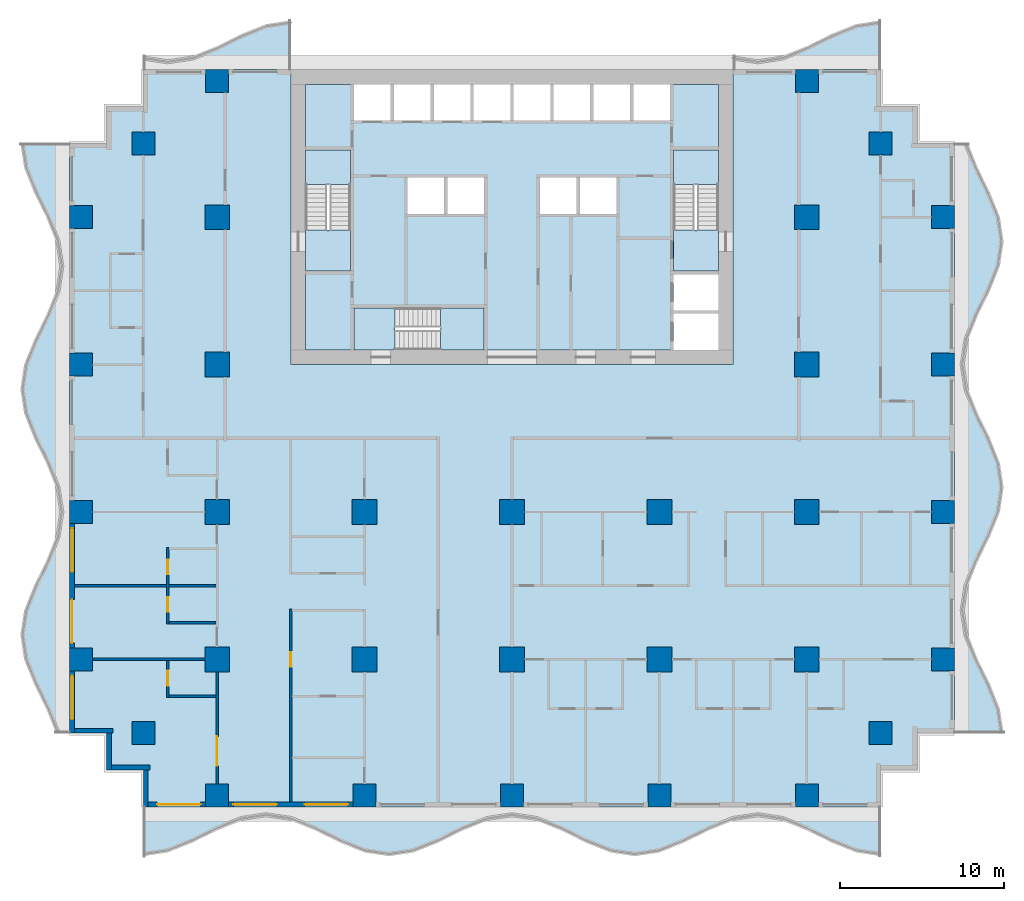
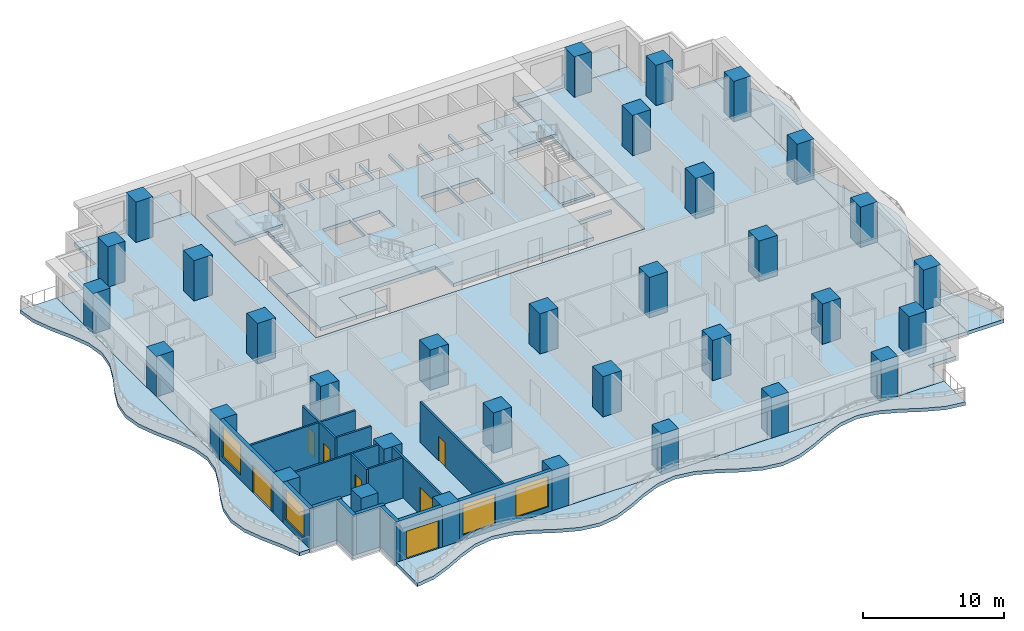
# One storey, part 1 of 13: 33 columns, 17 walls, 13 slabs, 7 doors, 4 windows, 11 openings, 3 elements without a shape of their own.
"""IFC4 building model written with IfcOpenShell, lengths in metres."""

from ifc_helpers import new_model, si_unit, direction, frame, frame_2d, origin, origin_2d, place, context, subcontext, project, spatial, polyline, rectangle, outline, extrude, material, layer, layer_set, material_profile, profile_set, type_object, element, fill, aggregate, save


model = new_model("IFC4")

# Units and contexts
model_context = context("Model", 3, precision=1e-05, world=origin(), true_north=direction((0.0, 1.0)))
body_context = subcontext(model_context, "Body", "Model", "MODEL_VIEW")
ifc_project = project(units=[si_unit("LENGTHUNIT", "METRE"), si_unit("AREAUNIT", "SQUARE_METRE"), si_unit("VOLUMEUNIT", "CUBIC_METRE"), si_unit("PLANEANGLEUNIT", "RADIAN"), si_unit("MASSUNIT", "GRAM", prefix="KILO")], contexts=[model_context])

# Site, building, storey
site_placement = place(None, origin())
site = spatial("IfcSite", under=ifc_project, at=site_placement, CompositionType="ELEMENT")
building_placement = place(site_placement, origin())
building = spatial("IfcBuilding", under=site, at=building_placement, Name="Orbiselva Terraces", CompositionType="ELEMENT")
storey_placement = place(building_placement, frame((0.0, 0.0, 53.0)))
storey = spatial("IfcBuildingStorey", under=building, at=storey_placement, Name="L13", CompositionType="ELEMENT", Elevation=53.0)

# Columns
ifc_material_1 = material(Name="Concrete C80/95", Category="concrete")
ifc_material_profile_1 = material_profile(ifc_material_1, rectangle(XDim=1.5, YDim=1.5, at=origin_2d()), Name="RC 1500x1500")
ifc_profile_set_1 = profile_set([ifc_material_profile_1], Name="Concrete C80/95")
column_type_1 = type_object("IfcColumnType", Name="COLUMN RC 1500x1500", PredefinedType="COLUMN", material=ifc_profile_set_1)
for number, where, z_axis, x_axis, name in (
    (1, (-18.0, -13.5, 0.0), (0.0, 0.0, 1.0), (1.0, 0.0, 0.0), "Column L13-01"),
    (2, (-18.0, -4.5, 0.0), (0.0, 0.0, 1.0), (1.0, 0.0, 0.0), "Column L13-03"),
    (3, (-18.0, 13.5, 0.0), (0.0, 0.0, 1.0), (1.0, 0.0, 0.0), "Column L13-04"),
    (4, (-18.0, 4.5, 0.0), (0.0, 0.0, 1.0), (1.0, 0.0, 0.0), "Column L13-06"),
    (5, (-9.0, -13.5, 0.0), (0.0, 0.0, 1.0), (1.0, 0.0, 0.0), "Column L13-13"),
    (6, (-9.0, -4.5, 0.0), (0.0, 0.0, 1.0), (1.0, 0.0, 0.0), "Column L13-15"),
    (7, (0.0, -13.5, 0.0), (0.0, 0.0, 1.0), (1.0, 0.0, 0.0), "Column L13-16"),
    (8, (0.0, -4.5, 0.0), (0.0, 0.0, 1.0), (1.0, 0.0, 0.0), "Column L13-18"),
    (9, (18.0, -13.5, 0.0), (0.0, 0.0, 1.0), (1.0, 0.0, 0.0), "Column L13-19"),
    (10, (18.0, -4.5, 0.0), (0.0, 0.0, 1.0), (1.0, 0.0, 0.0), "Column L13-21"),
    (11, (18.0, 13.5, 0.0), (0.0, 0.0, 1.0), (1.0, 0.0, 0.0), "Column L13-22"),
    (12, (18.0, 4.5, 0.0), (0.0, 0.0, 1.0), (1.0, 0.0, 0.0), "Column L13-24"),
    (13, (9.0, -13.5, 0.0), (0.0, 0.0, 1.0), (1.0, 0.0, 0.0), "Column L13-31"),
    (14, (9.0, -4.5, 0.0), (0.0, 0.0, 1.0), (1.0, 0.0, 0.0), "Column L13-33"),
):
    element("IfcColumn", number, at=place(storey_placement, frame(where, z_axis=z_axis, x_axis=x_axis)), inside=storey, type_object=column_type_1, Name=name, PredefinedType="COLUMN", context=body_context, shape_type="SweptSolid", body=[
        extrude(rectangle(XDim=1.5, YDim=1.5, at=origin_2d()), origin(), (0.0, 0.0, 1.0), 3.5),
    ])
ifc_material_2 = material(Name="Concrete C70/85", Category="concrete")
ifc_material_profile_2 = material_profile(ifc_material_2, rectangle(XDim=1.4, YDim=1.4, at=origin_2d()), Name="RC 1400x1400")
ifc_profile_set_2 = profile_set([ifc_material_profile_2], Name="Concrete C70/85")
column_type_2 = type_object("IfcColumnType", Name="PERIMETER COLUMN RC 1400x1400", PredefinedType="COLUMN", material=ifc_profile_set_2)
for number, where, z_axis, x_axis, name in (
    (15, (-18.0, -21.8, 0.0), (0.0, 0.0, 1.0), (1.0, 0.0, 0.0), "Column L13-02"),
    (16, (-18.0, 21.8, 0.0), (0.0, 0.0, 1.0), (1.0, 0.0, 0.0), "Column L13-05"),
    (17, (-26.3, -13.5, 0.0), (0.0, 0.0, 1.0), (1.0, 0.0, 0.0), "Column L13-07"),
    (18, (-22.5, -18.0, 0.0), (0.0, 0.0, 1.0), (1.0, 0.0, 0.0), "Column L13-08"),
    (19, (-26.3, -4.5, 0.0), (0.0, 0.0, 1.0), (1.0, 0.0, 0.0), "Column L13-09"),
    (20, (-26.3, 13.5, 0.0), (0.0, 0.0, 1.0), (1.0, 0.0, 0.0), "Column L13-10"),
    (21, (-22.5, 18.0, 0.0), (0.0, 0.0, 1.0), (1.0, 0.0, 0.0), "Column L13-11"),
    (22, (-26.3, 4.5, 0.0), (0.0, 0.0, 1.0), (1.0, 0.0, 0.0), "Column L13-12"),
    (23, (-9.0, -21.8, 0.0), (0.0, 0.0, 1.0), (1.0, 0.0, 0.0), "Column L13-14"),
    (24, (0.0, -21.8, 0.0), (0.0, 0.0, 1.0), (1.0, 0.0, 0.0), "Column L13-17"),
    (25, (18.0, -21.8, 0.0), (0.0, 0.0, 1.0), (1.0, 0.0, 0.0), "Column L13-20"),
    (26, (18.0, 21.8, 0.0), (0.0, 0.0, 1.0), (1.0, 0.0, 0.0), "Column L13-23"),
    (27, (26.3, -13.5, 0.0), (0.0, 0.0, 1.0), (1.0, 0.0, 0.0), "Column L13-25"),
    (28, (22.5, -18.0, 0.0), (0.0, 0.0, 1.0), (1.0, 0.0, 0.0), "Column L13-26"),
    (29, (26.3, -4.5, 0.0), (0.0, 0.0, 1.0), (1.0, 0.0, 0.0), "Column L13-27"),
    (30, (26.3, 13.5, 0.0), (0.0, 0.0, 1.0), (1.0, 0.0, 0.0), "Column L13-28"),
    (31, (22.5, 18.0, 0.0), (0.0, 0.0, 1.0), (1.0, 0.0, 0.0), "Column L13-29"),
    (32, (26.3, 4.5, 0.0), (0.0, 0.0, 1.0), (1.0, 0.0, 0.0), "Column L13-30"),
    (33, (9.0, -21.8, 0.0), (0.0, 0.0, 1.0), (1.0, 0.0, 0.0), "Column L13-32"),
):
    element("IfcColumn", number, at=place(storey_placement, frame(where, z_axis=z_axis, x_axis=x_axis)), inside=storey, type_object=column_type_2, Name=name, PredefinedType="COLUMN", context=body_context, shape_type="SweptSolid", body=[
        extrude(rectangle(XDim=1.4, YDim=1.4, at=origin_2d()), origin(), (0.0, 0.0, 1.0), 3.5),
    ])

# Slabs
ifc_material_3 = material(Name="Concrete C40/50", Category="concrete")
ifc_layer_1 = layer(ifc_material_3, 0.3)
ifc_layer_set_1 = layer_set([ifc_layer_1], Name="Concrete C40/50")
slab_type_1 = type_object("IfcSlabType", Name="CORE-SLAB-FLOOR-300", PredefinedType="FLOOR", material=ifc_layer_set_1)
slab_1_placement = place(storey_placement, frame((0.0, 0.0, -0.3)))
element("IfcSlab", 34, at=slab_1_placement, inside=storey, type_object=slab_type_1, Name="L13 S1 floor landing", PredefinedType="FLOOR", context=body_context, shape_type="SweptSolid", body=[
    extrude(outline(polyline([(-12.6, 12.7), (-9.85, 12.7), (-9.85, 10.2), (-12.6, 10.2), (-12.6, 12.7)])), origin(), (0.0, 0.0, 1.0), 0.3),
])
slab_2_placement = place(storey_placement, frame((0.0, 0.0, -0.3)))
element("IfcSlab", 35, at=slab_2_placement, inside=storey, type_object=slab_type_1, Name="L13 S2 floor landing", PredefinedType="FLOOR", context=body_context, shape_type="SweptSolid", body=[
    extrude(outline(polyline([(12.6, 12.7), (12.6, 10.2), (9.85, 10.2), (9.85, 12.7), (12.6, 12.7)])), origin(), (0.0, 0.0, 1.0), 0.3),
])
slab_3_placement = place(storey_placement, frame((0.0, 0.0, -0.3)))
element("IfcSlab", 36, at=slab_3_placement, inside=storey, type_object=slab_type_1, Name="L13 S3 floor landing", PredefinedType="FLOOR", context=body_context, shape_type="SweptSolid", body=[
    extrude(outline(polyline([(-7.15, 5.4), (-9.65, 5.4), (-9.65, 7.95), (-7.15, 7.95), (-7.15, 5.4)])), origin(), (0.0, 0.0, 1.0), 0.3),
])
slab_4_placement = place(storey_placement, frame((0.0, 0.0, -0.3)))
element("IfcSlab", 37, at=slab_4_placement, inside=storey, type_object=slab_type_1, Name="L13 core floor slab 1", PredefinedType="FLOOR", context=body_context, shape_type="SweptSolid", body=[
    extrude(outline(polyline([(-1.7, 5.4), (-1.7, 7.95), (-9.65, 7.95), (-9.65, 5.4), (-12.6, 5.4), (-12.6, 10.2), (-9.85, 10.2), (-9.85, 17.6), (-12.6, 17.6), (-12.6, 21.6), (-9.65, 21.6), (-9.65, 19.4), (-7.4125, 19.4), (-7.4125, 21.6), (-7.2125, 21.6), (-7.2125, 19.4), (-4.975, 19.4), (-4.975, 21.6), (-4.775, 21.6), (-4.775, 19.4), (-2.5375, 19.4), (-2.5375, 21.6), (-2.3375, 21.6), (-2.3375, 19.4), (-0.1, 19.4), (-0.1, 21.6), (0.1, 21.6), (0.1, 19.4), (2.3375, 19.4), (2.3375, 21.6), (2.5375, 21.6), (2.5375, 19.4), (4.775, 19.4), (4.775, 21.6), (4.975, 21.6), (4.975, 19.4), (7.2125, 19.4), (7.2125, 21.6), (7.4125, 21.6), (7.4125, 19.4), (9.65, 19.4), (9.65, 21.6), (12.6, 21.6), (12.6, 17.6), (9.85, 17.6), (9.85, 10.2), (12.6, 10.2), (12.6, 10.0), (9.85, 10.0), (9.85, 7.8), (12.6, 7.8), (12.6, 7.6), (9.85, 7.6), (9.85, 5.4), (-1.7, 5.4)]), holes=[polyline([(-4.1375, 13.7), (-4.1375, 15.9), (-6.375, 15.9), (-6.375, 13.7), (-4.1375, 13.7)]), polyline([(-1.7, 13.7), (-1.7, 15.9), (-3.9375, 15.9), (-3.9375, 13.7), (-1.7, 13.7)]), polyline([(3.9375, 13.7), (3.9375, 15.9), (1.7, 15.9), (1.7, 13.7), (3.9375, 13.7)]), polyline([(6.375, 13.7), (6.375, 15.9), (4.1375, 15.9), (4.1375, 13.7), (6.375, 13.7)])]), origin(), (0.0, 0.0, 1.0), 0.3),
])

# Stair, slab
stair_type_1 = type_object("IfcStairType", Name="CORE-STAIR-1300", PredefinedType="HALF_TURN_STAIR", material=ifc_material_3)
stair_1_placement = place(storey_placement, origin())
stair_1 = element("IfcStair", 38, at=stair_1_placement, inside=storey, type_object=stair_type_1, Name="L13 Exit Stair S1", PredefinedType="HALF_TURN_STAIR")
ifc_layer_2 = layer(ifc_material_3, 0.2)
ifc_layer_set_2 = layer_set([ifc_layer_2], Name="Concrete C40/50")
slab_type_2 = type_object("IfcSlabType", Name="CORE-STAIR-LANDING-200", PredefinedType="LANDING", material=ifc_layer_set_2)
slab_5_placement = place(storey_placement, frame((0.0, 0.0, 1.7)))
slab_5 = element("IfcSlab", 39, at=slab_5_placement, type_object=slab_type_2, Name="S1 landing 1", PredefinedType="LANDING", context=body_context, shape_type="SweptSolid", body=[
    extrude(outline(polyline([(-9.85, 15.5), (-9.85, 17.6), (-12.6, 17.6), (-12.6, 15.5), (-9.85, 15.5)])), origin(), (0.0, 0.0, 1.0), 0.2),
])
aggregate(stair_1, [slab_5])

stair_2_placement = place(storey_placement, origin())
stair_2 = element("IfcStair", 40, at=stair_2_placement, inside=storey, type_object=stair_type_1, Name="L13 Exit Stair S2", PredefinedType="HALF_TURN_STAIR")
slab_6_placement = place(storey_placement, frame((0.0, 0.0, 1.7)))
slab_6 = element("IfcSlab", 41, at=slab_6_placement, type_object=slab_type_2, Name="S2 landing 1", PredefinedType="LANDING", context=body_context, shape_type="SweptSolid", body=[
    extrude(outline(polyline([(12.6, 15.5), (12.6, 17.6), (9.85, 17.6), (9.85, 15.5), (12.6, 15.5)])), origin(), (0.0, 0.0, 1.0), 0.2),
])
aggregate(stair_2, [slab_6])

stair_type_2 = type_object("IfcStairType", Name="CORE-STAIR-1200", PredefinedType="HALF_TURN_STAIR", material=ifc_material_3)
stair_3_placement = place(storey_placement, origin())
stair_3 = element("IfcStair", 42, at=stair_3_placement, inside=storey, type_object=stair_type_2, Name="L13 Exit Stair S3", PredefinedType="HALF_TURN_STAIR")
slab_7_placement = place(storey_placement, frame((0.0, 0.0, 1.7)))
slab_7 = element("IfcSlab", 43, at=slab_7_placement, type_object=slab_type_2, Name="S3 landing 1", PredefinedType="LANDING", context=body_context, shape_type="SweptSolid", body=[
    extrude(outline(polyline([(-4.35, 5.4), (-1.7, 5.4), (-1.7, 7.95), (-4.35, 7.95), (-4.35, 5.4)])), origin(), (0.0, 0.0, 1.0), 0.2),
])
aggregate(stair_3, [slab_7])

# Slabs
ifc_material_4 = material(Name="Concrete C50/60", Category="concrete")
ifc_layer_3 = layer(ifc_material_4, 0.3)
ifc_layer_set_3 = layer_set([ifc_layer_3], Name="Concrete C50/60")
slab_type_3 = type_object("IfcSlabType", Name="ENV-BALCONY-SLAB-300", PredefinedType="FLOOR", material=ifc_layer_set_3)
slab_8_placement = place(storey_placement, frame((0.0, 0.0, -0.3)))
element("IfcSlab", 44, at=slab_8_placement, inside=storey, type_object=slab_type_3, Name="Balcony slab L13 S", PredefinedType="FLOOR", context=body_context, shape_type="SweptSolid", body=[
    extrude(outline(polyline([(-22.5, -25.5), (-21.0, -25.27082), (-19.5, -24.67082), (-18.0, -23.92918), (-16.5, -23.32918), (-15.0, -23.1), (-13.5, -23.32918), (-12.0, -23.92918), (-10.5, -24.67082), (-9.0, -25.27082), (-7.5, -25.5), (-6.0, -25.27082), (-4.5, -24.67082), (-3.0, -23.92918), (-1.5, -23.32918), (0.0, -23.1), (1.5, -23.32918), (3.0, -23.92918), (4.5, -24.67082), (6.0, -25.27082), (7.5, -25.5), (9.0, -25.27082), (10.5, -24.67082), (12.0, -23.92918), (13.5, -23.32918), (15.0, -23.1), (16.5, -23.32918), (18.0, -23.92918), (19.5, -24.67082), (21.0, -25.27082), (22.5, -25.5), (22.5, -22.5), (-22.5, -22.5), (-22.5, -25.5)])), origin(), (0.0, 0.0, 1.0), 0.3),
])
slab_9_placement = place(storey_placement, frame((0.0, 0.0, -0.3)))
element("IfcSlab", 45, at=slab_9_placement, inside=storey, type_object=slab_type_3, Name="Balcony slab L13 E", PredefinedType="FLOOR", context=body_context, shape_type="SweptSolid", body=[
    extrude(outline(polyline([(30.0, -18.0), (29.77082, -16.5), (29.17082, -15.0), (28.42918, -13.5), (27.82918, -12.0), (27.6, -10.5), (27.82918, -9.0), (28.42918, -7.5), (29.17082, -6.0), (29.77082, -4.5), (30.0, -3.0), (29.77082, -1.5), (29.17082, 0.0), (28.42918, 1.5), (27.82918, 3.0), (27.6, 4.5), (27.82918, 6.0), (28.42918, 7.5), (29.17082, 9.0), (29.77082, 10.5), (30.0, 12.0), (29.77082, 13.5), (29.17082, 15.0), (28.42918, 16.5), (27.82918, 18.0), (27.0, 18.0), (27.0, -18.0), (30.0, -18.0)])), origin(), (0.0, 0.0, 1.0), 0.3),
])
slab_10_placement = place(storey_placement, frame((0.0, 0.0, -0.3)))
element("IfcSlab", 46, at=slab_10_placement, inside=storey, type_object=slab_type_3, Name="Balcony slab L13 NE", PredefinedType="FLOOR", context=body_context, shape_type="SweptSolid", body=[
    extrude(outline(polyline([(22.5, 25.5), (21.0, 25.27082), (19.5, 24.67082), (18.0, 23.92918), (16.5, 23.32918), (15.0, 23.1), (13.5, 23.32918), (13.5, 22.5), (22.5, 22.5), (22.5, 25.5)])), origin(), (0.0, 0.0, 1.0), 0.3),
])
slab_11_placement = place(storey_placement, frame((0.0, 0.0, -0.3)))
element("IfcSlab", 47, at=slab_11_placement, inside=storey, type_object=slab_type_3, Name="Balcony slab L13 NW", PredefinedType="FLOOR", context=body_context, shape_type="SweptSolid", body=[
    extrude(outline(polyline([(-13.5, 25.5), (-15.0, 25.27082), (-16.5, 24.67082), (-18.0, 23.92918), (-19.5, 23.32918), (-21.0, 23.1), (-22.5, 23.32918), (-22.5, 22.5), (-13.5, 22.5), (-13.5, 25.5)])), origin(), (0.0, 0.0, 1.0), 0.3),
])
slab_12_placement = place(storey_placement, frame((0.0, 0.0, -0.3)))
element("IfcSlab", 48, at=slab_12_placement, inside=storey, type_object=slab_type_3, Name="Balcony slab L13 W", PredefinedType="FLOOR", context=body_context, shape_type="SweptSolid", body=[
    extrude(outline(polyline([(-30.0, 18.0), (-29.77082, 16.5), (-29.17082, 15.0), (-28.42918, 13.5), (-27.82918, 12.0), (-27.6, 10.5), (-27.82918, 9.0), (-28.42918, 7.5), (-29.17082, 6.0), (-29.77082, 4.5), (-30.0, 3.0), (-29.77082, 1.5), (-29.17082, 0.0), (-28.42918, -1.5), (-27.82918, -3.0), (-27.6, -4.5), (-27.82918, -6.0), (-28.42918, -7.5), (-29.17082, -9.0), (-29.77082, -10.5), (-30.0, -12.0), (-29.77082, -13.5), (-29.17082, -15.0), (-28.42918, -16.5), (-27.82918, -18.0), (-27.0, -18.0), (-27.0, 18.0), (-30.0, 18.0)])), origin(), (0.0, 0.0, 1.0), 0.3),
])
ifc_layer_4 = layer(ifc_material_4, 0.3)
ifc_layer_set_4 = layer_set([ifc_layer_4], Name="Concrete C50/60")
slab_type_4 = type_object("IfcSlabType", Name="FLOOR SLAB 300", PredefinedType="FLOOR", material=ifc_layer_set_4)
slab_13_placement = place(storey_placement, frame((0.0, 0.0, -0.3)))
element("IfcSlab", 49, at=slab_13_placement, inside=storey, type_object=slab_type_4, Name="Floor slab L13", PredefinedType="FLOOR", context=body_context, shape_type="SweptSolid", body=[
    extrude(outline(polyline([(22.5, 22.5), (22.5, 20.25), (24.75, 20.25), (24.75, 18.0), (27.0, 18.0), (27.0, -18.0), (24.75, -18.0), (24.75, -20.25), (22.5, -20.25), (22.5, -22.5), (-22.5, -22.5), (-22.5, -20.25), (-24.75, -20.25), (-24.75, -18.0), (-27.0, -18.0), (-27.0, 18.0), (-24.75, 18.0), (-24.75, 20.25), (-22.5, 20.25), (-22.5, 22.5), (-13.5, 22.5), (-13.5, 4.5), (13.5, 4.5), (13.5, 22.5), (22.5, 22.5)])), origin(), (0.0, 0.0, 1.0), 0.3),
])

# Wall, opening, door
ifc_material_5 = material(Name="Terracotta cladding on masonry backing", Category="masonry")
ifc_layer_5 = layer(ifc_material_5, 0.3)
ifc_layer_set_5 = layer_set([ifc_layer_5], Name="Terracotta cladding on masonry backing")
wall_type_1 = type_object("IfcWallType", Name="ENV-WALL-TERRACOTTA-300", PredefinedType="SOLIDWALL", material=ifc_layer_set_5)
wall_1_placement = place(storey_placement, frame((-18.7, -22.35, 0.0), z_axis=(0.0, 0.0, 1.0), x_axis=(-1.0, 0.0, 0.0)))
wall_1 = element("IfcWall", 50, at=wall_1_placement, inside=storey, type_object=wall_type_1, Name="Facade wall L13 S", PredefinedType="SOLIDWALL", context=body_context, shape_type="SweptSolid", body=[
    extrude(rectangle(XDim=3.5, YDim=0.3, at=frame_2d((1.75, 0.0))), origin(), (0.0, 0.0, 1.0), 3.5),
])
opening_1_placement = place(wall_1_placement, frame((0.3, 0.0, 0.0)))
opening_1 = element("IfcOpeningElement", 51, at=opening_1_placement, cuts=wall_1, Name="Opening Z1-D-E01", PredefinedType="OPENING", context=body_context, shape_type="SweptSolid", body=[
    extrude(rectangle(XDim=2.65, YDim=2.4, at=frame_2d((1.325, 1.2))), frame((0.0, 0.16, 0.0), z_axis=(0.0, -1.0, 0.0), x_axis=(1.0, 0.0, 0.0)), (0.0, 0.0, 1.0), 0.32),
])
ifc_material_6 = material(Name="Clear low-e glazing in aluminium frame", Category="aluminium")
door_type_1 = type_object("IfcDoorType", Name="BALCONY DOOR 2650 X 2400", OperationType="DOUBLE_DOOR_SLIDING", PredefinedType="DOOR", material=ifc_material_6)
door_1_placement = place(opening_1_placement, origin())
door_1 = element("IfcDoor", 52, at=door_1_placement, inside=storey, type_object=door_type_1, Name="Z1-D-E01", OperationType="SINGLE_SWING_LEFT", OverallHeight=2.4, OverallWidth=2.65, PredefinedType="DOOR", context=body_context, shape_type="SweptSolid", body=[
    extrude(rectangle(XDim=2.65, YDim=2.4, at=frame_2d((1.325, 1.2))), frame((0.0, 0.025, 0.0), z_axis=(0.0, -1.0, 0.0), x_axis=(1.0, 0.0, 0.0)), (0.0, 0.0, 1.0), 0.05),
])
fill(opening_1, door_1)

# Wall, openings, windows
wall_2_placement = place(storey_placement, frame((-9.7, -22.35, 0.0), z_axis=(0.0, 0.0, 1.0), x_axis=(-1.0, 0.0, 0.0)))
wall_2 = element("IfcWall", 53, at=wall_2_placement, inside=storey, type_object=wall_type_1, Name="Facade wall L13 S", PredefinedType="SOLIDWALL", context=body_context, shape_type="SweptSolid", body=[
    extrude(rectangle(XDim=7.6, YDim=0.3, at=frame_2d((3.8, 0.0))), origin(), (0.0, 0.0, 1.0), 3.5),
])
opening_2_placement = place(wall_2_placement, frame((4.65, 0.0, 0.45)))
opening_2 = element("IfcOpeningElement", 54, at=opening_2_placement, cuts=wall_2, Name="Opening WN3", PredefinedType="OPENING", context=body_context, shape_type="SweptSolid", body=[
    extrude(rectangle(XDim=2.65, YDim=2.65, at=frame_2d((1.325, 1.325))), frame((0.0, 0.16, 0.0), z_axis=(0.0, -1.0, 0.0), x_axis=(1.0, 0.0, 0.0)), (0.0, 0.0, 1.0), 0.32),
])
opening_3_placement = place(wall_2_placement, frame((0.3, 0.0, 0.45)))
opening_3 = element("IfcOpeningElement", 55, at=opening_3_placement, cuts=wall_2, Name="Opening WN3", PredefinedType="OPENING", context=body_context, shape_type="SweptSolid", body=[
    extrude(rectangle(XDim=2.65, YDim=2.65, at=frame_2d((1.325, 1.325))), frame((0.0, 0.16, 0.0), z_axis=(0.0, -1.0, 0.0), x_axis=(1.0, 0.0, 0.0)), (0.0, 0.0, 1.0), 0.32),
])
window_type = type_object("IfcWindowType", Name="WINDOW 2650 X 2650 S450", PartitioningType="TRIPLE_PANEL_VERTICAL", PredefinedType="WINDOW", material=ifc_material_6)
window_1_placement = place(opening_2_placement, origin())
window_1 = element("IfcWindow", 56, at=window_1_placement, inside=storey, type_object=window_type, Name="Window L13 S", OverallHeight=2.65, OverallWidth=2.65, PartitioningType="SINGLE_PANEL", PredefinedType="WINDOW", context=body_context, shape_type="SweptSolid", body=[
    extrude(rectangle(XDim=2.65, YDim=2.65, at=frame_2d((1.325, 1.325))), frame((0.0, 0.03, 0.0), z_axis=(0.0, -1.0, 0.0), x_axis=(1.0, 0.0, 0.0)), (0.0, 0.0, 1.0), 0.06),
])
fill(opening_2, window_1)
window_2_placement = place(opening_3_placement, origin())
window_2 = element("IfcWindow", 57, at=window_2_placement, inside=storey, type_object=window_type, Name="Window L13 S", OverallHeight=2.65, OverallWidth=2.65, PartitioningType="SINGLE_PANEL", PredefinedType="WINDOW", context=body_context, shape_type="SweptSolid", body=[
    extrude(rectangle(XDim=2.65, YDim=2.65, at=frame_2d((1.325, 1.325))), frame((0.0, 0.03, 0.0), z_axis=(0.0, -1.0, 0.0), x_axis=(1.0, 0.0, 0.0)), (0.0, 0.0, 1.0), 0.06),
])
fill(opening_3, window_2)

# Wall, openings, door, window
wall_3_placement = place(storey_placement, frame((-26.85, -12.8, 0.0), z_axis=(0.0, 0.0, 1.0), x_axis=(0.0, 1.0, 0.0)))
wall_3 = element("IfcWall", 58, at=wall_3_placement, inside=storey, type_object=wall_type_1, Name="Facade wall L13 W", PredefinedType="SOLIDWALL", context=body_context, shape_type="SweptSolid", body=[
    extrude(rectangle(XDim=7.6, YDim=0.3, at=frame_2d((3.8, 0.0))), origin(), (0.0, 0.0, 1.0), 3.5),
])
opening_4_placement = place(wall_3_placement, frame((4.65, 0.0, 0.45)))
opening_4 = element("IfcOpeningElement", 59, at=opening_4_placement, cuts=wall_3, Name="Opening WN3", PredefinedType="OPENING", context=body_context, shape_type="SweptSolid", body=[
    extrude(rectangle(XDim=2.65, YDim=2.65, at=frame_2d((1.325, 1.325))), frame((0.0, 0.16, 0.0), z_axis=(0.0, -1.0, 0.0), x_axis=(1.0, 0.0, 0.0)), (0.0, 0.0, 1.0), 0.32),
])
opening_5_placement = place(wall_3_placement, frame((0.3, 0.0, 0.0)))
opening_5 = element("IfcOpeningElement", 60, at=opening_5_placement, cuts=wall_3, Name="Opening Z1-D-E13", PredefinedType="OPENING", context=body_context, shape_type="SweptSolid", body=[
    extrude(rectangle(XDim=2.65, YDim=2.4, at=frame_2d((1.325, 1.2))), frame((0.0, 0.16, 0.0), z_axis=(0.0, -1.0, 0.0), x_axis=(1.0, 0.0, 0.0)), (0.0, 0.0, 1.0), 0.32),
])
door_2_placement = place(opening_5_placement, origin())
door_2 = element("IfcDoor", 61, at=door_2_placement, inside=storey, type_object=door_type_1, Name="Z1-D-E13", OperationType="SINGLE_SWING_LEFT", OverallHeight=2.4, OverallWidth=2.65, PredefinedType="DOOR", context=body_context, shape_type="SweptSolid", body=[
    extrude(rectangle(XDim=2.65, YDim=2.4, at=frame_2d((1.325, 1.2))), frame((0.0, 0.025, 0.0), z_axis=(0.0, -1.0, 0.0), x_axis=(1.0, 0.0, 0.0)), (0.0, 0.0, 1.0), 0.05),
])
fill(opening_5, door_2)
window_3_placement = place(opening_4_placement, origin())
window_3 = element("IfcWindow", 62, at=window_3_placement, inside=storey, type_object=window_type, Name="Window L13 W", OverallHeight=2.65, OverallWidth=2.65, PartitioningType="SINGLE_PANEL", PredefinedType="WINDOW", context=body_context, shape_type="SweptSolid", body=[
    extrude(rectangle(XDim=2.65, YDim=2.65, at=frame_2d((1.325, 1.325))), frame((0.0, 0.03, 0.0), z_axis=(0.0, -1.0, 0.0), x_axis=(1.0, 0.0, 0.0)), (0.0, 0.0, 1.0), 0.06),
])
fill(opening_4, window_3)

# Wall, opening, window
wall_4_placement = place(storey_placement, frame((-26.85, -18.0, 0.0), z_axis=(0.0, 0.0, 1.0), x_axis=(0.0, 1.0, 0.0)))
wall_4 = element("IfcWall", 63, at=wall_4_placement, inside=storey, type_object=wall_type_1, Name="Facade wall L13 W", PredefinedType="SOLIDWALL", context=body_context, shape_type="SweptSolid", body=[
    extrude(rectangle(XDim=3.8, YDim=0.3, at=frame_2d((1.9, 0.0))), origin(), (0.0, 0.0, 1.0), 3.5),
])
opening_6_placement = place(wall_4_placement, frame((0.85, 0.0, 0.45)))
opening_6 = element("IfcOpeningElement", 64, at=opening_6_placement, cuts=wall_4, Name="Opening WN3", PredefinedType="OPENING", context=body_context, shape_type="SweptSolid", body=[
    extrude(rectangle(XDim=2.65, YDim=2.65, at=frame_2d((1.325, 1.325))), frame((0.0, 0.16, 0.0), z_axis=(0.0, -1.0, 0.0), x_axis=(1.0, 0.0, 0.0)), (0.0, 0.0, 1.0), 0.32),
])
window_4_placement = place(opening_6_placement, origin())
window_4 = element("IfcWindow", 65, at=window_4_placement, inside=storey, type_object=window_type, Name="Window L13 W", OverallHeight=2.65, OverallWidth=2.65, PartitioningType="SINGLE_PANEL", PredefinedType="WINDOW", context=body_context, shape_type="SweptSolid", body=[
    extrude(rectangle(XDim=2.65, YDim=2.65, at=frame_2d((1.325, 1.325))), frame((0.0, 0.03, 0.0), z_axis=(0.0, -1.0, 0.0), x_axis=(1.0, 0.0, 0.0)), (0.0, 0.0, 1.0), 0.06),
])
fill(opening_6, window_4)

# Walls
wall_5_placement = place(storey_placement, frame((-24.35, -17.85, 0.0), z_axis=(0.0, 0.0, 1.0), x_axis=(-1.0, 0.0, 0.0)))
element("IfcWall", 66, at=wall_5_placement, inside=storey, type_object=wall_type_1, Name="Facade wall L13 STEP", PredefinedType="SOLIDWALL", context=body_context, shape_type="SweptSolid", body=[
    extrude(rectangle(XDim=2.35, YDim=0.3, at=frame_2d((1.175, 0.0))), origin(), (0.0, 0.0, 1.0), 3.5),
])
wall_6_placement = place(storey_placement, frame((-24.6, -20.25, 0.0), z_axis=(0.0, 0.0, 1.0), x_axis=(0.0, 1.0, 0.0)))
element("IfcWall", 67, at=wall_6_placement, inside=storey, type_object=wall_type_1, Name="Facade wall L13 STEP", PredefinedType="SOLIDWALL", context=body_context, shape_type="SweptSolid", body=[
    extrude(rectangle(XDim=2.25, YDim=0.3, at=frame_2d((1.125, 0.0))), origin(), (0.0, 0.0, 1.0), 3.5),
])
wall_7_placement = place(storey_placement, frame((-22.1, -20.1, 0.0), z_axis=(0.0, 0.0, 1.0), x_axis=(-1.0, 0.0, 0.0)))
element("IfcWall", 68, at=wall_7_placement, inside=storey, type_object=wall_type_1, Name="Facade wall L13 STEP", PredefinedType="SOLIDWALL", context=body_context, shape_type="SweptSolid", body=[
    extrude(rectangle(XDim=2.35, YDim=0.3, at=frame_2d((1.175, 0.0))), origin(), (0.0, 0.0, 1.0), 3.5),
])
wall_8_placement = place(storey_placement, frame((-22.35, -22.5, 0.0), z_axis=(0.0, 0.0, 1.0), x_axis=(0.0, 1.0, 0.0)))
element("IfcWall", 69, at=wall_8_placement, inside=storey, type_object=wall_type_1, Name="Facade wall L13 STEP", PredefinedType="SOLIDWALL", context=body_context, shape_type="SweptSolid", body=[
    extrude(rectangle(XDim=2.25, YDim=0.3, at=frame_2d((1.125, 0.0))), origin(), (0.0, 0.0, 1.0), 3.5),
])
ifc_material_7 = material(Name="Plasterboard on steel stud partition", Category="steel")
ifc_layer_6 = layer(ifc_material_7, 0.15)
ifc_layer_set_6 = layer_set([ifc_layer_6], Name="Plasterboard on steel stud partition")
wall_type_2 = type_object("IfcWallType", Name="UNIT-PARTITION-150", PredefinedType="PARTITIONING", material=ifc_layer_set_6)
wall_9_placement = place(storey_placement, frame((-20.925, -15.75, 0.0), z_axis=(0.0, 0.0, 1.0), x_axis=(1.0, 0.0, 0.0)))
element("IfcWall", 70, at=wall_9_placement, inside=storey, type_object=wall_type_2, Name="PARTITION L13-007", PredefinedType="PARTITIONING", context=body_context, shape_type="SweptSolid", body=[
    extrude(rectangle(XDim=2.85, YDim=0.15, at=frame_2d((1.425, 0.0))), origin(), (0.0, 0.0, 1.0), 3.5),
])
wall_10_placement = place(storey_placement, frame((-25.6, -13.5, 0.0), z_axis=(0.0, 0.0, 1.0), x_axis=(1.0, 0.0, 0.0)))
element("IfcWall", 71, at=wall_10_placement, inside=storey, type_object=wall_type_2, Name="PARTITION L13-009", PredefinedType="PARTITIONING", context=body_context, shape_type="SweptSolid", body=[
    extrude(rectangle(XDim=6.85, YDim=0.15, at=frame_2d((3.425, 0.0))), origin(), (0.0, 0.0, 1.0), 3.5),
])
wall_11_placement = place(storey_placement, frame((-20.925, -11.25, 0.0), z_axis=(0.0, 0.0, 1.0), x_axis=(1.0, 0.0, 0.0)))
element("IfcWall", 72, at=wall_11_placement, inside=storey, type_object=wall_type_2, Name="PARTITION L13-013", PredefinedType="PARTITIONING", context=body_context, shape_type="SweptSolid", body=[
    extrude(rectangle(XDim=2.85, YDim=0.15, at=frame_2d((1.425, 0.0))), origin(), (0.0, 0.0, 1.0), 3.5),
])
wall_12_placement = place(storey_placement, frame((-26.7, -9.0, 0.0), z_axis=(0.0, 0.0, 1.0), x_axis=(1.0, 0.0, 0.0)))
element("IfcWall", 73, at=wall_12_placement, inside=storey, type_object=wall_type_2, Name="PARTITION L13-015", PredefinedType="PARTITIONING", context=body_context, shape_type="SweptSolid", body=[
    extrude(rectangle(XDim=5.625, YDim=0.15, at=frame_2d((2.8125, 0.0))), origin(), (0.0, 0.0, 1.0), 3.5),
])
wall_13_placement = place(storey_placement, frame((-20.925, -9.0, 0.0), z_axis=(0.0, 0.0, 1.0), x_axis=(1.0, 0.0, 0.0)))
element("IfcWall", 74, at=wall_13_placement, inside=storey, type_object=wall_type_2, Name="PARTITION L13-016", PredefinedType="PARTITIONING", context=body_context, shape_type="SweptSolid", body=[
    extrude(rectangle(XDim=2.85, YDim=0.15, at=frame_2d((1.425, 0.0))), origin(), (0.0, 0.0, 1.0), 3.5),
])

# Wall, opening, door
wall_14_placement = place(storey_placement, frame((-21.0, -13.575, 0.0), z_axis=(0.0, 0.0, 1.0), x_axis=(0.0, -1.0, 0.0)))
wall_14 = element("IfcWall", 75, at=wall_14_placement, inside=storey, type_object=wall_type_2, Name="PARTITION L13-044", PredefinedType="PARTITIONING", context=body_context, shape_type="SweptSolid", body=[
    extrude(rectangle(XDim=2.25, YDim=0.15, at=frame_2d((1.125, 0.0))), origin(), (0.0, 0.0, 1.0), 3.5),
])
opening_7_placement = place(wall_14_placement, frame((0.625, 0.0, 0.0)))
opening_7 = element("IfcOpeningElement", 76, at=opening_7_placement, cuts=wall_14, Name="Opening Z1-D-26", PredefinedType="OPENING", context=body_context, shape_type="SweptSolid", body=[
    extrude(rectangle(XDim=0.9, YDim=2.1, at=frame_2d((0.45, 1.05))), frame((0.0, 0.085, 0.0), z_axis=(0.0, -1.0, 0.0), x_axis=(1.0, 0.0, 0.0)), (0.0, 0.0, 1.0), 0.17),
])
ifc_material_8 = material(Name="Painted timber door leaf", Category="wood")
door_type_2 = type_object("IfcDoorType", Name="BATH DOOR 900", OperationType="NOTDEFINED", PredefinedType="DOOR", material=ifc_material_8)
door_3_placement = place(opening_7_placement, origin())
door_3 = element("IfcDoor", 77, at=door_3_placement, inside=storey, type_object=door_type_2, Name="Z1-D-26", OperationType="SINGLE_SWING_LEFT", OverallHeight=2.1, OverallWidth=0.9, PredefinedType="DOOR", context=body_context, shape_type="SweptSolid", body=[
    extrude(rectangle(XDim=0.9, YDim=2.1, at=frame_2d((0.45, 1.05))), frame((0.0, 0.025, 0.0), z_axis=(0.0, -1.0, 0.0), x_axis=(1.0, 0.0, 0.0)), (0.0, 0.0, 1.0), 0.05),
])
fill(opening_7, door_3)

# Wall, openings, doors
wall_15_placement = place(storey_placement, frame((-21.0, -6.675, 0.0), z_axis=(0.0, 0.0, 1.0), x_axis=(0.0, -1.0, 0.0)))
wall_15 = element("IfcWall", 78, at=wall_15_placement, inside=storey, type_object=wall_type_2, Name="PARTITION L13-045", PredefinedType="PARTITIONING", context=body_context, shape_type="SweptSolid", body=[
    extrude(rectangle(XDim=4.65, YDim=0.15, at=frame_2d((2.325, 0.0))), origin(), (0.0, 0.0, 1.0), 3.5),
])
opening_8_placement = place(wall_15_placement, frame((0.725, 0.0, 0.0)))
opening_8 = element("IfcOpeningElement", 79, at=opening_8_placement, cuts=wall_15, Name="Opening Z1-D-22", PredefinedType="OPENING", context=body_context, shape_type="SweptSolid", body=[
    extrude(rectangle(XDim=0.9, YDim=2.1, at=frame_2d((0.45, 1.05))), frame((0.0, 0.085, 0.0), z_axis=(0.0, -1.0, 0.0), x_axis=(1.0, 0.0, 0.0)), (0.0, 0.0, 1.0), 0.17),
])
opening_9_placement = place(wall_15_placement, frame((3.025, 0.0, 0.0)))
opening_9 = element("IfcOpeningElement", 80, at=opening_9_placement, cuts=wall_15, Name="Opening Z1-D-24", PredefinedType="OPENING", context=body_context, shape_type="SweptSolid", body=[
    extrude(rectangle(XDim=0.9, YDim=2.1, at=frame_2d((0.45, 1.05))), frame((0.0, 0.085, 0.0), z_axis=(0.0, -1.0, 0.0), x_axis=(1.0, 0.0, 0.0)), (0.0, 0.0, 1.0), 0.17),
])
door_4_placement = place(opening_8_placement, origin())
door_4 = element("IfcDoor", 81, at=door_4_placement, inside=storey, type_object=door_type_2, Name="Z1-D-22", OperationType="SINGLE_SWING_LEFT", OverallHeight=2.1, OverallWidth=0.9, PredefinedType="DOOR", context=body_context, shape_type="SweptSolid", body=[
    extrude(rectangle(XDim=0.9, YDim=2.1, at=frame_2d((0.45, 1.05))), frame((0.0, 0.025, 0.0), z_axis=(0.0, -1.0, 0.0), x_axis=(1.0, 0.0, 0.0)), (0.0, 0.0, 1.0), 0.05),
])
fill(opening_8, door_4)
door_5_placement = place(opening_9_placement, origin())
door_5 = element("IfcDoor", 82, at=door_5_placement, inside=storey, type_object=door_type_2, Name="Z1-D-24", OperationType="SINGLE_SWING_RIGHT", OverallHeight=2.1, OverallWidth=0.9, PredefinedType="DOOR", context=body_context, shape_type="SweptSolid", body=[
    extrude(rectangle(XDim=0.9, YDim=2.1, at=frame_2d((0.45, 1.05))), frame((0.0, 0.025, 0.0), z_axis=(0.0, -1.0, 0.0), x_axis=(1.0, 0.0, 0.0)), (0.0, 0.0, 1.0), 0.05),
])
fill(opening_9, door_5)

# Wall, opening, door
wall_16_placement = place(storey_placement, frame((-18.0, -21.1, 0.0), z_axis=(0.0, 0.0, 1.0), x_axis=(0.0, 1.0, 0.0)))
wall_16 = element("IfcWall", 83, at=wall_16_placement, inside=storey, type_object=wall_type_2, Name="PARTITION L13-047", PredefinedType="PARTITIONING", context=body_context, shape_type="SweptSolid", body=[
    extrude(rectangle(XDim=6.85, YDim=0.15, at=frame_2d((3.425, 0.0))), origin(), (0.0, 0.0, 1.0), 3.5),
])
opening_10_placement = place(wall_16_placement, frame((1.1, 0.0, 0.0)))
opening_10 = element("IfcOpeningElement", 84, at=opening_10_placement, cuts=wall_16, Name="Opening Z1-D-25", PredefinedType="OPENING", context=body_context, shape_type="SweptSolid", body=[
    extrude(rectangle(XDim=1.8, YDim=2.4, at=frame_2d((0.9, 1.2))), frame((0.0, 0.085, 0.0), z_axis=(0.0, -1.0, 0.0), x_axis=(1.0, 0.0, 0.0)), (0.0, 0.0, 1.0), 0.17),
])
door_type_3 = type_object("IfcDoorType", Name="DOUBLE DOOR 1800", OperationType="NOTDEFINED", PredefinedType="DOOR", material=ifc_material_8)
door_6_placement = place(opening_10_placement, origin())
door_6 = element("IfcDoor", 85, at=door_6_placement, inside=storey, type_object=door_type_3, Name="Z1-D-25", OperationType="DOUBLE_DOOR_SINGLE_SWING", OverallHeight=2.4, OverallWidth=1.8, PredefinedType="DOOR", context=body_context, shape_type="SweptSolid", body=[
    extrude(rectangle(XDim=1.8, YDim=2.4, at=frame_2d((0.9, 1.2))), frame((0.0, 0.025, 0.0), z_axis=(0.0, -1.0, 0.0), x_axis=(1.0, 0.0, 0.0)), (0.0, 0.0, 1.0), 0.05),
])
fill(opening_10, door_6)

wall_17_placement = place(storey_placement, frame((-13.5, -10.425, 0.0), z_axis=(0.0, 0.0, 1.0), x_axis=(0.0, -1.0, 0.0)))
wall_17 = element("IfcWall", 86, at=wall_17_placement, inside=storey, type_object=wall_type_2, Name="PARTITION L13-053", PredefinedType="PARTITIONING", context=body_context, shape_type="SweptSolid", body=[
    extrude(rectangle(XDim=11.775, YDim=0.15, at=frame_2d((5.8875, 0.0))), origin(), (0.0, 0.0, 1.0), 3.5),
])
opening_11_placement = place(wall_17_placement, frame((2.625, 0.0, 0.0)))
opening_11 = element("IfcOpeningElement", 87, at=opening_11_placement, cuts=wall_17, Name="Opening Z1-D-16", PredefinedType="OPENING", context=body_context, shape_type="SweptSolid", body=[
    extrude(rectangle(XDim=0.9, YDim=2.1, at=frame_2d((0.45, 1.05))), frame((0.0, 0.085, 0.0), z_axis=(0.0, -1.0, 0.0), x_axis=(1.0, 0.0, 0.0)), (0.0, 0.0, 1.0), 0.17),
])
door_type_4 = type_object("IfcDoorType", Name="SERVICE DOOR 900", OperationType="NOTDEFINED", PredefinedType="DOOR", material=ifc_material_8)
door_7_placement = place(opening_11_placement, origin())
door_7 = element("IfcDoor", 88, at=door_7_placement, inside=storey, type_object=door_type_4, Name="Z1-D-16", OperationType="SINGLE_SWING_LEFT", OverallHeight=2.1, OverallWidth=0.9, PredefinedType="DOOR", context=body_context, shape_type="SweptSolid", body=[
    extrude(rectangle(XDim=0.9, YDim=2.1, at=frame_2d((0.45, 1.05))), frame((0.0, 0.025, 0.0), z_axis=(0.0, -1.0, 0.0), x_axis=(1.0, 0.0, 0.0)), (0.0, 0.0, 1.0), 0.05),
])
fill(opening_11, door_7)

save(model, "model.ifc")
